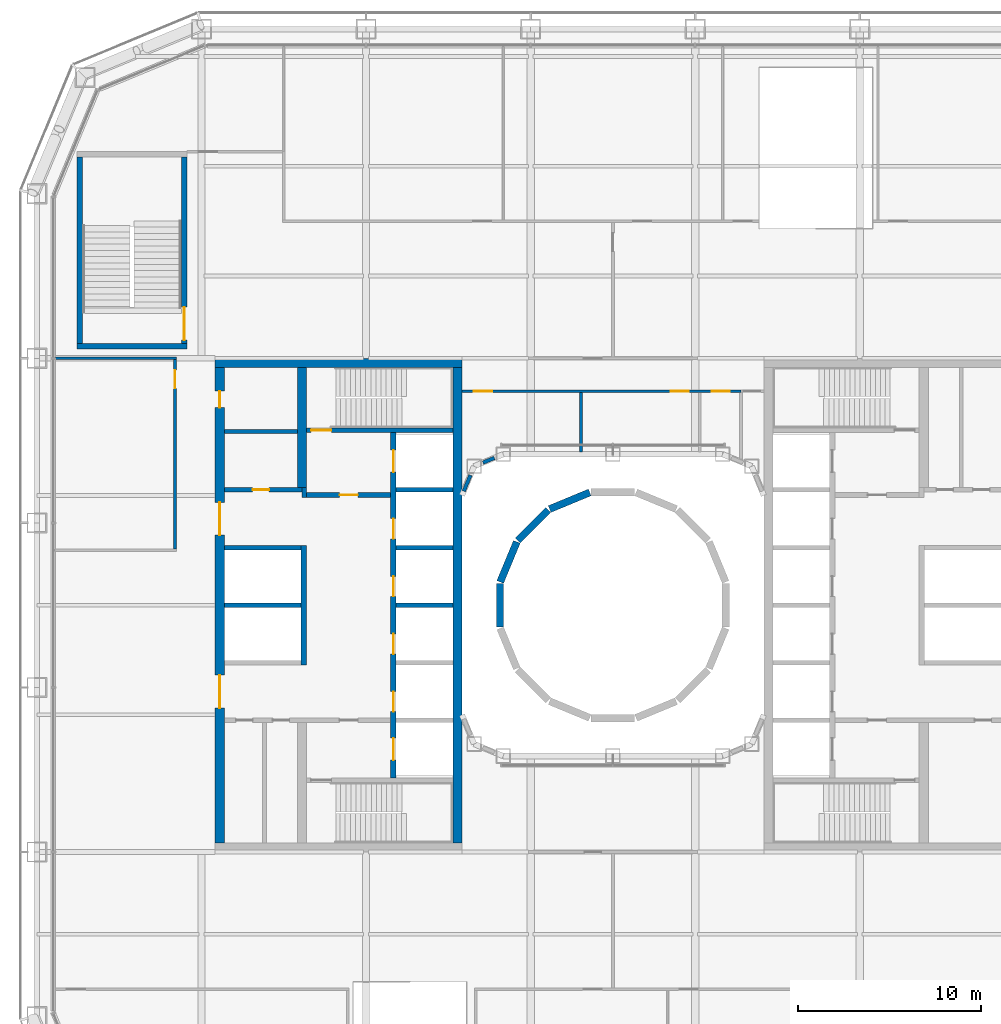
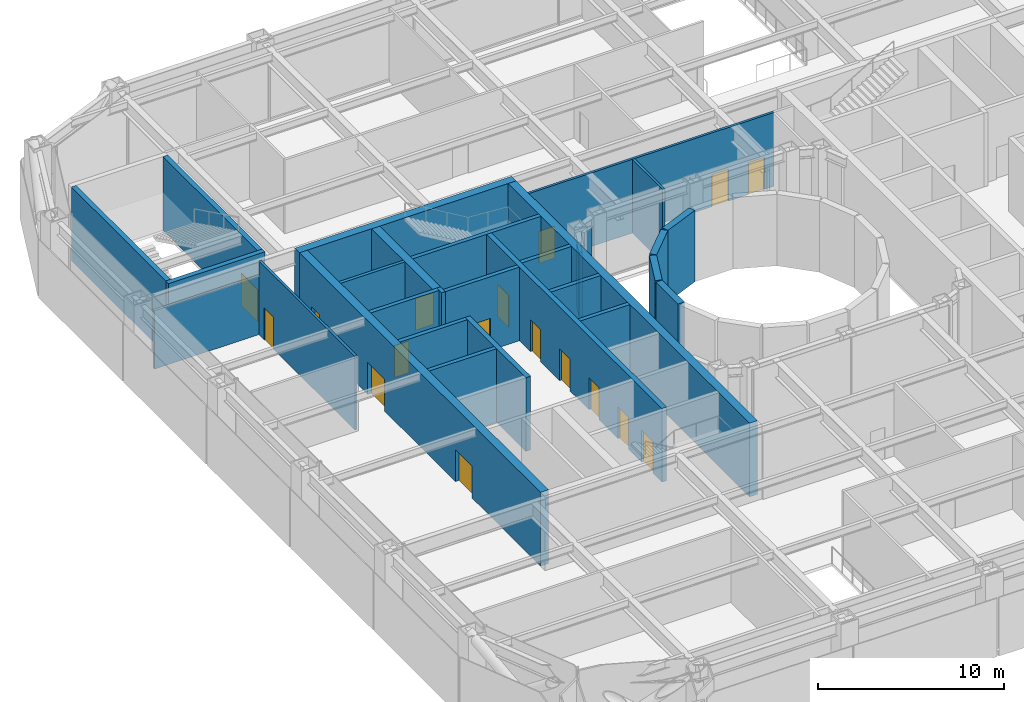
# One storey, part 13 of 24: 29 walls, 17 doors, 17 openings.
"""IFC4 building model written with IfcOpenShell, lengths in metres."""

from ifc_helpers import new_model, si_unit, direction, frame, frame_2d, origin, place, context, subcontext, project, spatial, rectangle, extrude, material, layer, layer_set, type_object, element, fill, save


model = new_model("IFC4")

# Units and contexts
model_context = context("Model", 3, precision=1e-05, world=origin(), true_north=direction((0.0, 1.0)))
body_context = subcontext(model_context, "Body", "Model", "MODEL_VIEW")
ifc_project = project(units=[si_unit("LENGTHUNIT", "METRE"), si_unit("AREAUNIT", "SQUARE_METRE"), si_unit("VOLUMEUNIT", "CUBIC_METRE"), si_unit("PLANEANGLEUNIT", "RADIAN"), si_unit("MASSUNIT", "GRAM", prefix="KILO")], contexts=[model_context])

# Site, building, storey
site_placement = place(None, origin())
site = spatial("IfcSite", under=ifc_project, at=site_placement, CompositionType="ELEMENT")
building_placement = place(site_placement, origin())
building = spatial("IfcBuilding", under=site, at=building_placement, Name="Siwar Civic Tower", CompositionType="ELEMENT")
storey_placement = place(building_placement, frame((0.0, 0.0, 12.199951171875)))
storey = spatial("IfcBuildingStorey", under=building, at=storey_placement, Name="L02", CompositionType="ELEMENT", Elevation=12.199951171875)

# Wall
ifc_material_1 = material(Name="Gypsum board on steel studs", Category="steel")
ifc_layer_1 = layer(ifc_material_1, 0.199951171875)
ifc_layer_set_1 = layer_set([ifc_layer_1], Name="Gypsum board on steel studs")
wall_type_1 = type_object("IfcWallType", Name="CORE-PARTITION-200", PredefinedType="PARTITIONING", material=ifc_layer_set_1)
wall_1_placement = place(storey_placement, frame((-17.25, 9.5, 0.0), z_axis=(0.0, 0.0, 1.0), x_axis=(-1.0, 0.0, 0.0)))
element("IfcWall", 1, at=wall_1_placement, inside=storey, type_object=wall_type_1, Name="Core partition W", PredefinedType="PARTITIONING", context=body_context, shape_type="SweptSolid", body=[
    extrude(rectangle(XDim=4.0, YDim=0.199951171875, at=frame_2d((2.0, 0.0))), origin(), (0.0, 0.0, 1.0), 4.85009765625),
])

# Wall, opening, door
ifc_material_2 = material(Name="Concrete C60/75", Category="concrete")
ifc_layer_2 = layer(ifc_material_2, 0.25)
ifc_layer_set_2 = layer_set([ifc_layer_2], Name="Concrete C60/75")
wall_type_2 = type_object("IfcWallType", Name="CORE-WALL-RC250", PredefinedType="SHEAR", material=ifc_layer_set_2)
wall_2_placement = place(storey_placement, frame((-12.14990234375, 6.02490234375, 0.0), z_axis=(0.0, 0.0, 1.0), x_axis=(-1.0, 0.0, 0.0)))
wall_2 = element("IfcWall", 2, at=wall_2_placement, inside=storey, type_object=wall_type_2, Name="Core wall W", PredefinedType="SHEAR", context=body_context, shape_type="SweptSolid", body=[
    extrude(rectangle(XDim=4.60009765625, YDim=0.25, at=frame_2d((2.300048828125, 0.0))), origin(), (0.0, 0.0, 1.0), 4.85009765625),
])
opening_1_placement = place(wall_2_placement, frame((1.800048828125, 0.0, 0.0)))
opening_1 = element("IfcOpeningElement", 3, at=opening_1_placement, cuts=wall_2, Name="Opening L02-CW01", PredefinedType="OPENING", context=body_context, shape_type="SweptSolid", body=[
    extrude(rectangle(XDim=1.0, YDim=2.10009765625, at=frame_2d((0.5, 1.050048828125))), frame((0.0, 0.135009765625, 0.0), z_axis=(0.0, -1.0, 0.0), x_axis=(1.0, 0.0, 0.0)), (0.0, 0.0, 1.0), 0.27001953125),
])
ifc_material_3 = material(Name="Steel door leaf", Category="steel")
door_type_1 = type_object("IfcDoorType", Name="CORE-DOOR-FD30S", OperationType="SINGLE_SWING_LEFT", PredefinedType="DOOR", material=ifc_material_3)
door_1_placement = place(opening_1_placement, origin())
door_1 = element("IfcDoor", 4, at=door_1_placement, inside=storey, type_object=door_type_1, Name="Firefighting lobby door L02-CW01", OperationType="SINGLE_SWING_LEFT", OverallHeight=2.10009765625, OverallWidth=1.0, PredefinedType="DOOR", context=body_context, shape_type="SweptSolid", body=[
    extrude(rectangle(XDim=1.0, YDim=2.10009765625, at=frame_2d((0.5, 1.050048828125))), frame((0.0, 0.02490234375, 0.0), z_axis=(0.0, -1.0, 0.0), x_axis=(1.0, 0.0, 0.0)), (0.0, 0.0, 1.0), 0.050048828125),
])
fill(opening_1, door_1)

# Wall
wall_3_placement = place(storey_placement, frame((-16.875, 5.89990234375, 0.0), z_axis=(0.0, 0.0, 1.0), x_axis=(0.0, 1.0, 0.0)))
element("IfcWall", 5, at=wall_3_placement, inside=storey, type_object=wall_type_2, Name="Core wall W", PredefinedType="SHEAR", context=body_context, shape_type="SweptSolid", body=[
    extrude(rectangle(XDim=0.525146484375, YDim=0.25, at=frame_2d((0.2626953125, 0.0))), origin(), (0.0, 0.0, 1.0), 4.85009765625),
])

# Wall, opening, door
wall_4_placement = place(storey_placement, frame((-17.0, 6.300048828125, 0.0), z_axis=(0.0, 0.0, 1.0), x_axis=(-1.0, 0.0, 0.0)))
wall_4 = element("IfcWall", 6, at=wall_4_placement, inside=storey, type_object=wall_type_2, Name="Core wall W", PredefinedType="SHEAR", context=body_context, shape_type="SweptSolid", body=[
    extrude(rectangle(XDim=4.25, YDim=0.25, at=frame_2d((2.125, 0.0))), origin(), (0.0, 0.0, 1.0), 4.85009765625),
])
opening_2_placement = place(wall_4_placement, frame((1.800048828125, 0.0, 0.0)))
opening_2 = element("IfcOpeningElement", 7, at=opening_2_placement, cuts=wall_4, Name="Opening L02-CW13", PredefinedType="OPENING", context=body_context, shape_type="SweptSolid", body=[
    extrude(rectangle(XDim=0.89990234375, YDim=2.10009765625, at=frame_2d((0.449951171875, 1.050048828125))), frame((0.0, 0.135009765625, 0.0), z_axis=(0.0, -1.0, 0.0), x_axis=(1.0, 0.0, 0.0)), (0.0, 0.0, 1.0), 0.27001953125),
])
ifc_material_4 = material(Name="Steel door leaf", Category="steel")
door_type_2 = type_object("IfcDoorType", Name="CORE-DOOR-ROOM", OperationType="SINGLE_SWING_LEFT", PredefinedType="DOOR", material=ifc_material_4)
door_2_placement = place(opening_2_placement, origin())
door_2 = element("IfcDoor", 8, at=door_2_placement, inside=storey, type_object=door_type_2, Name="Core room door L02-CW13", OperationType="SINGLE_SWING_LEFT", OverallHeight=2.10009765625, OverallWidth=0.89990234375, PredefinedType="DOOR", context=body_context, shape_type="SweptSolid", body=[
    extrude(rectangle(XDim=0.89990234375, YDim=2.10009765625, at=frame_2d((0.449951171875, 1.050048828125))), frame((0.0, 0.02490234375, 0.0), z_axis=(0.0, -1.0, 0.0), x_axis=(1.0, 0.0, 0.0)), (0.0, 0.0, 1.0), 0.050048828125),
])
fill(opening_2, door_2)

# Walls
for number, where, z_axis, x_axis, name in (
    (9, (-17.050048828125, 0.0, 0.0), (0.0, 0.0, 1.0), (-1.0, 0.0, 0.0), "Core wall W"),
    (10, (-17.050048828125, 3.14990234375, 0.0), (0.0, 0.0, 1.0), (-1.0, 0.0, 0.0), "Core wall W"),
):
    element("IfcWall", number, at=place(storey_placement, frame(where, z_axis=z_axis, x_axis=x_axis)), inside=storey, type_object=wall_type_2, Name=name, PredefinedType="SHEAR", context=body_context, shape_type="SweptSolid", body=[
        extrude(rectangle(XDim=4.199951171875, YDim=0.25, at=frame_2d((2.10009765625, 0.0))), origin(), (0.0, 0.0, 1.0), 4.85009765625),
    ])
for number, where, z_axis, x_axis, name in (
    (11, (-8.75, 0.0, 0.0), (0.0, 0.0, 1.0), (-1.0, 0.0, 0.0), "Core wall W"),
    (12, (-8.75, 3.14990234375, 0.0), (0.0, 0.0, 1.0), (-1.0, 0.0, 0.0), "Core wall W"),
    (13, (-8.75, 6.300048828125, 0.0), (0.0, 0.0, 1.0), (-1.0, 0.0, 0.0), "Core wall W"),
):
    element("IfcWall", number, at=place(storey_placement, frame(where, z_axis=z_axis, x_axis=x_axis)), inside=storey, type_object=wall_type_2, Name=name, PredefinedType="SHEAR", context=body_context, shape_type="SweptSolid", body=[
        extrude(rectangle(XDim=3.10009765625, YDim=0.25, at=frame_2d((1.550048828125, 0.0))), origin(), (0.0, 0.0, 1.0), 4.85009765625),
    ])

# Wall, opening, door
wall_5_placement = place(storey_placement, frame((-8.75, 9.574951171875, 0.0), z_axis=(0.0, 0.0, 1.0), x_axis=(-1.0, 0.0, 0.0)))
wall_5 = element("IfcWall", 14, at=wall_5_placement, inside=storey, type_object=wall_type_2, Name="Core wall W", PredefinedType="SHEAR", context=body_context, shape_type="SweptSolid", body=[
    extrude(rectangle(XDim=8.0, YDim=0.25, at=frame_2d((4.0, 0.0))), origin(), (0.0, 0.0, 1.0), 4.85009765625),
])
opening_3_placement = place(wall_5_placement, frame((6.64990234375, 0.0, 0.0)))
opening_3 = element("IfcOpeningElement", 15, at=opening_3_placement, cuts=wall_5, Name="Opening L02-CW03", PredefinedType="OPENING", context=body_context, shape_type="SweptSolid", body=[
    extrude(rectangle(XDim=1.10009765625, YDim=2.10009765625, at=frame_2d((0.550048828125, 1.050048828125))), frame((0.0, 0.135009765625, 0.0), z_axis=(0.0, -1.0, 0.0), x_axis=(1.0, 0.0, 0.0)), (0.0, 0.0, 1.0), 0.27001953125),
])
ifc_material_5 = material(Name="Steel door leaf", Category="steel")
door_type_3 = type_object("IfcDoorType", Name="CORE-DOOR-FD60S", OperationType="SINGLE_SWING_LEFT", PredefinedType="DOOR", material=ifc_material_5)
door_3_placement = place(opening_3_placement, origin())
door_3 = element("IfcDoor", 16, at=door_3_placement, inside=storey, type_object=door_type_3, Name="Stair door L02-CW03", OperationType="SINGLE_SWING_RIGHT", OverallHeight=2.10009765625, OverallWidth=1.10009765625, PredefinedType="DOOR", context=body_context, shape_type="SweptSolid", body=[
    extrude(rectangle(XDim=1.10009765625, YDim=2.10009765625, at=frame_2d((0.550048828125, 1.050048828125))), frame((0.0, 0.02490234375, 0.0), z_axis=(0.0, -1.0, 0.0), x_axis=(1.0, 0.0, 0.0)), (0.0, 0.0, 1.0), 0.050048828125),
])
fill(opening_3, door_3)

# Wall, openings, doors
ifc_material_6 = material(Name="Concrete C60/75", Category="concrete")
ifc_layer_3 = layer(ifc_material_6, 0.300048828125)
ifc_layer_set_3 = layer_set([ifc_layer_3], Name="Concrete C60/75")
wall_type_3 = type_object("IfcWallType", Name="CORE-WALL-RC300", PredefinedType="SHEAR", material=ifc_layer_set_3)
wall_6_placement = place(storey_placement, frame((-12.0, -9.449951171875, 0.0), z_axis=(0.0, 0.0, 1.0), x_axis=(0.0, 1.0, 0.0)))
wall_6 = element("IfcWall", 17, at=wall_6_placement, inside=storey, type_object=wall_type_3, Name="Core wall W", PredefinedType="SHEAR", context=body_context, shape_type="SweptSolid", body=[
    extrude(rectangle(XDim=18.89990234375, YDim=0.300048828125, at=frame_2d((9.449951171875, 0.0))), origin(), (0.0, 0.0, 1.0), 4.85009765625),
])
opening_4_placement = place(wall_6_placement, frame((3.625, 0.0, 0.0)))
opening_4 = element("IfcOpeningElement", 18, at=opening_4_placement, cuts=wall_6, Name="Opening L02-CW07", PredefinedType="OPENING", context=body_context, shape_type="SweptSolid", body=[
    extrude(rectangle(XDim=1.10009765625, YDim=2.10009765625, at=frame_2d((0.550048828125, 1.050048828125))), frame((0.0, 0.16015625, 0.0), z_axis=(0.0, -1.0, 0.0), x_axis=(1.0, 0.0, 0.0)), (0.0, 0.0, 1.0), 0.320068359375),
])
opening_5_placement = place(wall_6_placement, frame((6.77490234375, 0.0, 0.0)))
opening_5 = element("IfcOpeningElement", 19, at=opening_5_placement, cuts=wall_6, Name="Opening L02-CW08", PredefinedType="OPENING", context=body_context, shape_type="SweptSolid", body=[
    extrude(rectangle(XDim=1.10009765625, YDim=2.10009765625, at=frame_2d((0.550048828125, 1.050048828125))), frame((0.0, 0.16015625, 0.0), z_axis=(0.0, -1.0, 0.0), x_axis=(1.0, 0.0, 0.0)), (0.0, 0.0, 1.0), 0.320068359375),
])
opening_6_placement = place(wall_6_placement, frame((9.925048828125, 0.0, 0.0)))
opening_6 = element("IfcOpeningElement", 20, at=opening_6_placement, cuts=wall_6, Name="Opening L02-CW09", PredefinedType="OPENING", context=body_context, shape_type="SweptSolid", body=[
    extrude(rectangle(XDim=1.10009765625, YDim=2.10009765625, at=frame_2d((0.550048828125, 1.050048828125))), frame((0.0, 0.16015625, 0.0), z_axis=(0.0, -1.0, 0.0), x_axis=(1.0, 0.0, 0.0)), (0.0, 0.0, 1.0), 0.320068359375),
])
opening_7_placement = place(wall_6_placement, frame((13.074951171875, 0.0, 0.0)))
opening_7 = element("IfcOpeningElement", 21, at=opening_7_placement, cuts=wall_6, Name="Opening L02-CW10", PredefinedType="OPENING", context=body_context, shape_type="SweptSolid", body=[
    extrude(rectangle(XDim=1.10009765625, YDim=2.10009765625, at=frame_2d((0.550048828125, 1.050048828125))), frame((0.0, 0.16015625, 0.0), z_axis=(0.0, -1.0, 0.0), x_axis=(1.0, 0.0, 0.0)), (0.0, 0.0, 1.0), 0.320068359375),
])
opening_8_placement = place(wall_6_placement, frame((16.72509765625, 0.0, 0.0)))
opening_8 = element("IfcOpeningElement", 22, at=opening_8_placement, cuts=wall_6, Name="Opening L02-CW11", PredefinedType="OPENING", context=body_context, shape_type="SweptSolid", body=[
    extrude(rectangle(XDim=1.199951171875, YDim=2.10009765625, at=frame_2d((0.60009765625, 1.050048828125))), frame((0.0, 0.16015625, 0.0), z_axis=(0.0, -1.0, 0.0), x_axis=(1.0, 0.0, 0.0)), (0.0, 0.0, 1.0), 0.320068359375),
])
opening_9_placement = place(wall_6_placement, frame((0.97509765625, 0.0, 0.0)))
opening_9 = element("IfcOpeningElement", 23, at=opening_9_placement, cuts=wall_6, Name="Opening L02-CW12", PredefinedType="OPENING", context=body_context, shape_type="SweptSolid", body=[
    extrude(rectangle(XDim=1.199951171875, YDim=2.10009765625, at=frame_2d((0.60009765625, 1.050048828125))), frame((0.0, 0.16015625, 0.0), z_axis=(0.0, -1.0, 0.0), x_axis=(1.0, 0.0, 0.0)), (0.0, 0.0, 1.0), 0.320068359375),
])
ifc_material_7 = material(Name="Steel door leaf", Category="steel")
door_type_4 = type_object("IfcDoorType", Name="CORE-DOOR-LD", OperationType="DOUBLE_DOOR_SLIDING", PredefinedType="DOOR", material=ifc_material_7)
door_4_placement = place(opening_4_placement, origin())
door_4 = element("IfcDoor", 24, at=door_4_placement, inside=storey, type_object=door_type_4, Name="Landing door LR1 L02-CW07", OperationType="DOUBLE_DOOR_SLIDING", OverallHeight=2.10009765625, OverallWidth=1.10009765625, PredefinedType="DOOR", context=body_context, shape_type="SweptSolid", body=[
    extrude(rectangle(XDim=1.10009765625, YDim=2.10009765625, at=frame_2d((0.550048828125, 1.050048828125))), frame((0.0, 0.02490234375, 0.0), z_axis=(0.0, -1.0, 0.0), x_axis=(1.0, 0.0, 0.0)), (0.0, 0.0, 1.0), 0.050048828125),
])
fill(opening_4, door_4)
door_5_placement = place(opening_5_placement, origin())
door_5 = element("IfcDoor", 25, at=door_5_placement, inside=storey, type_object=door_type_4, Name="Landing door LR2 L02-CW08", OperationType="DOUBLE_DOOR_SLIDING", OverallHeight=2.10009765625, OverallWidth=1.10009765625, PredefinedType="DOOR", context=body_context, shape_type="SweptSolid", body=[
    extrude(rectangle(XDim=1.10009765625, YDim=2.10009765625, at=frame_2d((0.550048828125, 1.050048828125))), frame((0.0, 0.02490234375, 0.0), z_axis=(0.0, -1.0, 0.0), x_axis=(1.0, 0.0, 0.0)), (0.0, 0.0, 1.0), 0.050048828125),
])
fill(opening_5, door_5)
door_6_placement = place(opening_6_placement, origin())
door_6 = element("IfcDoor", 26, at=door_6_placement, inside=storey, type_object=door_type_4, Name="Landing door LR3 L02-CW09", OperationType="DOUBLE_DOOR_SLIDING", OverallHeight=2.10009765625, OverallWidth=1.10009765625, PredefinedType="DOOR", context=body_context, shape_type="SweptSolid", body=[
    extrude(rectangle(XDim=1.10009765625, YDim=2.10009765625, at=frame_2d((0.550048828125, 1.050048828125))), frame((0.0, 0.02490234375, 0.0), z_axis=(0.0, -1.0, 0.0), x_axis=(1.0, 0.0, 0.0)), (0.0, 0.0, 1.0), 0.050048828125),
])
fill(opening_6, door_6)
door_7_placement = place(opening_7_placement, origin())
door_7 = element("IfcDoor", 27, at=door_7_placement, inside=storey, type_object=door_type_4, Name="Landing door LR4 L02-CW10", OperationType="DOUBLE_DOOR_SLIDING", OverallHeight=2.10009765625, OverallWidth=1.10009765625, PredefinedType="DOOR", context=body_context, shape_type="SweptSolid", body=[
    extrude(rectangle(XDim=1.10009765625, YDim=2.10009765625, at=frame_2d((0.550048828125, 1.050048828125))), frame((0.0, 0.02490234375, 0.0), z_axis=(0.0, -1.0, 0.0), x_axis=(1.0, 0.0, 0.0)), (0.0, 0.0, 1.0), 0.050048828125),
])
fill(opening_7, door_7)
ifc_material_8 = material(Name="Steel door leaf", Category="steel")
door_type_5 = type_object("IfcDoorType", Name="CORE-DOOR-LDW", OperationType="DOUBLE_DOOR_SLIDING", PredefinedType="DOOR", material=ifc_material_8)
door_8_placement = place(opening_8_placement, origin())
door_8 = element("IfcDoor", 28, at=door_8_placement, inside=storey, type_object=door_type_5, Name="Landing door FF1 L02-CW11", OperationType="DOUBLE_DOOR_SLIDING", OverallHeight=2.10009765625, OverallWidth=1.199951171875, PredefinedType="DOOR", context=body_context, shape_type="SweptSolid", body=[
    extrude(rectangle(XDim=1.199951171875, YDim=2.10009765625, at=frame_2d((0.60009765625, 1.050048828125))), frame((0.0, 0.02490234375, 0.0), z_axis=(0.0, -1.0, 0.0), x_axis=(1.0, 0.0, 0.0)), (0.0, 0.0, 1.0), 0.050048828125),
])
fill(opening_8, door_8)
door_9_placement = place(opening_9_placement, origin())
door_9 = element("IfcDoor", 29, at=door_9_placement, inside=storey, type_object=door_type_5, Name="Landing door SV1 L02-CW12", OperationType="DOUBLE_DOOR_SLIDING", OverallHeight=2.10009765625, OverallWidth=1.199951171875, PredefinedType="DOOR", context=body_context, shape_type="SweptSolid", body=[
    extrude(rectangle(XDim=1.199951171875, YDim=2.10009765625, at=frame_2d((0.60009765625, 1.050048828125))), frame((0.0, 0.02490234375, 0.0), z_axis=(0.0, -1.0, 0.0), x_axis=(1.0, 0.0, 0.0)), (0.0, 0.0, 1.0), 0.050048828125),
])
fill(opening_9, door_9)

# Wall
wall_7_placement = place(storey_placement, frame((-16.89990234375, -3.27490234375, 0.0), z_axis=(0.0, 0.0, 1.0), x_axis=(0.0, 1.0, 0.0)))
element("IfcWall", 30, at=wall_7_placement, inside=storey, type_object=wall_type_3, Name="Core wall W", PredefinedType="SHEAR", context=body_context, shape_type="SweptSolid", body=[
    extrude(rectangle(XDim=6.5498046875, YDim=0.300048828125, at=frame_2d((3.27490234375, 0.0))), origin(), (0.0, 0.0, 1.0), 4.85009765625),
])

# Wall, openings, doors
ifc_material_9 = material(Name="Concrete C60/75", Category="concrete")
ifc_layer_4 = layer(ifc_material_9, 0.5)
ifc_layer_set_4 = layer_set([ifc_layer_4], Name="Concrete C60/75")
wall_type_4 = type_object("IfcWallType", Name="CORE-WALL-RC500", PredefinedType="SHEAR", material=ifc_layer_set_4)
wall_8_placement = place(storey_placement, frame((-21.5, -13.0, 0.0), z_axis=(0.0, 0.0, 1.0), x_axis=(0.0, 1.0, 0.0)))
wall_8 = element("IfcWall", 31, at=wall_8_placement, inside=storey, type_object=wall_type_4, Name="Core wall W", PredefinedType="SHEAR", context=body_context, shape_type="SweptSolid", body=[
    extrude(rectangle(XDim=26.0, YDim=0.5, at=frame_2d((13.0, 0.0))), origin(), (0.0, 0.0, 1.0), 4.85009765625),
])
opening_10_placement = place(wall_8_placement, frame((16.824951171875, 0.0, 0.0)))
opening_10 = element("IfcOpeningElement", 32, at=opening_10_placement, cuts=wall_8, Name="Opening L02-CW05", PredefinedType="OPENING", context=body_context, shape_type="SweptSolid", body=[
    extrude(rectangle(XDim=1.800048828125, YDim=2.10009765625, at=frame_2d((0.89990234375, 1.050048828125))), frame((0.0, 0.260009765625, 0.0), z_axis=(0.0, -1.0, 0.0), x_axis=(1.0, 0.0, 0.0)), (0.0, 0.0, 1.0), 0.52001953125),
])
opening_11_placement = place(wall_8_placement, frame((7.375, 0.0, 0.0)))
opening_11 = element("IfcOpeningElement", 33, at=opening_11_placement, cuts=wall_8, Name="Opening L02-CW06", PredefinedType="OPENING", context=body_context, shape_type="SweptSolid", body=[
    extrude(rectangle(XDim=1.800048828125, YDim=2.10009765625, at=frame_2d((0.89990234375, 1.050048828125))), frame((0.0, 0.260009765625, 0.0), z_axis=(0.0, -1.0, 0.0), x_axis=(1.0, 0.0, 0.0)), (0.0, 0.0, 1.0), 0.52001953125),
])
opening_12_placement = place(wall_8_placement, frame((23.800048828125, 0.0, 0.0)))
opening_12 = element("IfcOpeningElement", 34, at=opening_12_placement, cuts=wall_8, Name="Opening L02-CW14", PredefinedType="OPENING", context=body_context, shape_type="SweptSolid", body=[
    extrude(rectangle(XDim=0.89990234375, YDim=2.10009765625, at=frame_2d((0.449951171875, 1.050048828125))), frame((0.0, 0.260009765625, 0.0), z_axis=(0.0, -1.0, 0.0), x_axis=(1.0, 0.0, 0.0)), (0.0, 0.0, 1.0), 0.52001953125),
])
ifc_material_10 = material(Name="Steel door leaf", Category="steel")
door_type_6 = type_object("IfcDoorType", Name="CORE-DOOR-PORT", OperationType="DOUBLE_DOOR_DOUBLE_SWING", PredefinedType="DOOR", material=ifc_material_10)
door_10_placement = place(opening_10_placement, origin())
door_10 = element("IfcDoor", 35, at=door_10_placement, inside=storey, type_object=door_type_6, Name="Core entrance door L02-CW05", OperationType="DOUBLE_DOOR_DOUBLE_SWING", OverallHeight=2.10009765625, OverallWidth=1.800048828125, PredefinedType="DOOR", context=body_context, shape_type="SweptSolid", body=[
    extrude(rectangle(XDim=1.800048828125, YDim=2.10009765625, at=frame_2d((0.89990234375, 1.050048828125))), frame((0.0, 0.02490234375, 0.0), z_axis=(0.0, -1.0, 0.0), x_axis=(1.0, 0.0, 0.0)), (0.0, 0.0, 1.0), 0.050048828125),
])
fill(opening_10, door_10)
door_11_placement = place(opening_11_placement, origin())
door_11 = element("IfcDoor", 36, at=door_11_placement, inside=storey, type_object=door_type_6, Name="Core entrance door L02-CW06", OperationType="DOUBLE_DOOR_DOUBLE_SWING", OverallHeight=2.10009765625, OverallWidth=1.800048828125, PredefinedType="DOOR", context=body_context, shape_type="SweptSolid", body=[
    extrude(rectangle(XDim=1.800048828125, YDim=2.10009765625, at=frame_2d((0.89990234375, 1.050048828125))), frame((0.0, 0.02490234375, 0.0), z_axis=(0.0, -1.0, 0.0), x_axis=(1.0, 0.0, 0.0)), (0.0, 0.0, 1.0), 0.050048828125),
])
fill(opening_11, door_11)
door_12_placement = place(opening_12_placement, origin())
door_12 = element("IfcDoor", 37, at=door_12_placement, inside=storey, type_object=door_type_2, Name="Core room door L02-CW14", OperationType="SINGLE_SWING_LEFT", OverallHeight=2.10009765625, OverallWidth=0.89990234375, PredefinedType="DOOR", context=body_context, shape_type="SweptSolid", body=[
    extrude(rectangle(XDim=0.89990234375, YDim=2.10009765625, at=frame_2d((0.449951171875, 1.050048828125))), frame((0.0, 0.02490234375, 0.0), z_axis=(0.0, -1.0, 0.0), x_axis=(1.0, 0.0, 0.0)), (0.0, 0.0, 1.0), 0.050048828125),
])
fill(opening_12, door_12)

# Walls
wall_9_placement = place(storey_placement, frame((-17.0, 6.425048828125, 0.0), z_axis=(0.0, 0.0, 1.0), x_axis=(0.0, 1.0, 0.0)))
element("IfcWall", 38, at=wall_9_placement, inside=storey, type_object=wall_type_4, Name="Core wall W", PredefinedType="SHEAR", context=body_context, shape_type="SweptSolid", body=[
    extrude(rectangle(XDim=6.574951171875, YDim=0.5, at=frame_2d((3.28759765625, 0.0))), origin(), (0.0, 0.0, 1.0), 4.85009765625),
])
wall_10_placement = place(storey_placement, frame((-8.25, 13.25, 0.0), z_axis=(0.0, 0.0, 1.0), x_axis=(-1.0, 0.0, 0.0)))
element("IfcWall", 39, at=wall_10_placement, inside=storey, type_object=wall_type_4, Name="Core wall W", PredefinedType="SHEAR", context=body_context, shape_type="SweptSolid", body=[
    extrude(rectangle(XDim=13.5, YDim=0.5, at=frame_2d((6.75, 0.0))), origin(), (0.0, 0.0, 1.0), 4.85009765625),
])
ifc_material_11 = material(Name="Concrete C60/75", Category="concrete")
ifc_layer_5 = layer(ifc_material_11, 0.5)
ifc_layer_set_5 = layer_set([ifc_layer_5], Name="Concrete C60/75")
wall_type_5 = type_object("IfcWallType", Name="CORE-WALL-RC500-EXT", PredefinedType="SHEAR", material=ifc_layer_set_5)
wall_11_placement = place(storey_placement, frame((-8.5, -13.0, 0.0), z_axis=(0.0, 0.0, 1.0), x_axis=(0.0, 1.0, 0.0)))
element("IfcWall", 40, at=wall_11_placement, inside=storey, type_object=wall_type_5, Name="Core wall W", PredefinedType="SHEAR", context=body_context, shape_type="SweptSolid", body=[
    extrude(rectangle(XDim=26.0, YDim=0.5, at=frame_2d((13.0, 0.0))), origin(), (0.0, 0.0, 1.0), 4.85009765625),
])

# Wall, openings, doors
ifc_material_12 = material(Name="Gypsum board on steel studs", Category="steel")
ifc_layer_6 = layer(ifc_material_12, 0.14990234375)
ifc_layer_set_6 = layer_set([ifc_layer_6], Name="Gypsum board on steel studs")
wall_type_6 = type_object("IfcWallType", Name="CORRIDOR PARTITION 150 EI 30", PredefinedType="PARTITIONING", material=ifc_layer_set_6)
wall_12_placement = place(storey_placement, frame((-8.25, 11.699951171875, 0.0), z_axis=(0.0, 0.0, 1.0), x_axis=(1.0, 0.0, 0.0)))
wall_12 = element("IfcWall", 41, at=wall_12_placement, inside=storey, type_object=wall_type_6, Name="L02/wall/P08", PredefinedType="PARTITIONING", context=body_context, shape_type="SweptSolid", body=[
    extrude(rectangle(XDim=15.25, YDim=0.14990234375, at=frame_2d((7.625, 0.0))), origin(), (0.0, 0.0, 1.0), 4.85009765625),
])
opening_13_placement = place(wall_12_placement, frame((0.64990234375, 0.0, 0.0)))
opening_13 = element("IfcOpeningElement", 42, at=opening_13_placement, cuts=wall_12, Name="Opening D3", PredefinedType="OPENING", context=body_context, shape_type="SweptSolid", body=[
    extrude(rectangle(XDim=1.0, YDim=2.10009765625, at=frame_2d((0.5, 1.050048828125))), frame((0.0, 0.0849609375, 0.0), z_axis=(0.0, -1.0, 0.0), x_axis=(1.0, 0.0, 0.0)), (0.0, 0.0, 1.0), 0.169921875),
])
opening_14_placement = place(wall_12_placement, frame((11.39990234375, 0.0, 0.0)))
opening_14 = element("IfcOpeningElement", 43, at=opening_14_placement, cuts=wall_12, Name="Opening D3", PredefinedType="OPENING", context=body_context, shape_type="SweptSolid", body=[
    extrude(rectangle(XDim=1.0, YDim=2.10009765625, at=frame_2d((0.5, 1.050048828125))), frame((0.0, 0.0849609375, 0.0), z_axis=(0.0, -1.0, 0.0), x_axis=(1.0, 0.0, 0.0)), (0.0, 0.0, 1.0), 0.169921875),
])
opening_15_placement = place(wall_12_placement, frame((13.64990234375, 0.0, 0.0)))
opening_15 = element("IfcOpeningElement", 44, at=opening_15_placement, cuts=wall_12, Name="Opening D3", PredefinedType="OPENING", context=body_context, shape_type="SweptSolid", body=[
    extrude(rectangle(XDim=1.0, YDim=2.10009765625, at=frame_2d((0.5, 1.050048828125))), frame((0.0, 0.0849609375, 0.0), z_axis=(0.0, -1.0, 0.0), x_axis=(1.0, 0.0, 0.0)), (0.0, 0.0, 1.0), 0.169921875),
])
ifc_material_13 = material(Name="Timber, painted", Category="wood")
door_type_7 = type_object("IfcDoorType", Name="DOOR 1000 X 2100 WC", OperationType="SINGLE_SWING_LEFT", PredefinedType="DOOR", material=ifc_material_13)
door_13_placement = place(opening_13_placement, origin())
door_13 = element("IfcDoor", 45, at=door_13_placement, inside=storey, type_object=door_type_7, Name="L02-D13", OperationType="SINGLE_SWING_LEFT", OverallHeight=2.10009765625, OverallWidth=1.0, PredefinedType="DOOR", context=body_context, shape_type="SweptSolid", body=[
    extrude(rectangle(XDim=1.0, YDim=2.10009765625, at=frame_2d((0.5, 1.050048828125))), frame((0.0, 0.02490234375, 0.0), z_axis=(0.0, -1.0, 0.0), x_axis=(1.0, 0.0, 0.0)), (0.0, 0.0, 1.0), 0.050048828125),
])
fill(opening_13, door_13)
door_14_placement = place(opening_14_placement, origin())
door_14 = element("IfcDoor", 46, at=door_14_placement, inside=storey, type_object=door_type_7, Name="L02-D14", OperationType="SINGLE_SWING_RIGHT", OverallHeight=2.10009765625, OverallWidth=1.0, PredefinedType="DOOR", context=body_context, shape_type="SweptSolid", body=[
    extrude(rectangle(XDim=1.0, YDim=2.10009765625, at=frame_2d((0.5, 1.050048828125))), frame((0.0, 0.02490234375, 0.0), z_axis=(0.0, -1.0, 0.0), x_axis=(1.0, 0.0, 0.0)), (0.0, 0.0, 1.0), 0.050048828125),
])
fill(opening_14, door_14)
door_15_placement = place(opening_15_placement, origin())
door_15 = element("IfcDoor", 47, at=door_15_placement, inside=storey, type_object=door_type_7, Name="L02-D15", OperationType="SINGLE_SWING_LEFT", OverallHeight=2.10009765625, OverallWidth=1.0, PredefinedType="DOOR", context=body_context, shape_type="SweptSolid", body=[
    extrude(rectangle(XDim=1.0, YDim=2.10009765625, at=frame_2d((0.5, 1.050048828125))), frame((0.0, 0.02490234375, 0.0), z_axis=(0.0, -1.0, 0.0), x_axis=(1.0, 0.0, 0.0)), (0.0, 0.0, 1.0), 0.050048828125),
])
fill(opening_15, door_15)

# Wall
wall_13_placement = place(storey_placement, frame((-30.510009765625, 13.5, 0.0), z_axis=(0.0, 0.0, 1.0), x_axis=(1.0, 0.0, 0.0)))
element("IfcWall", 48, at=wall_13_placement, inside=storey, type_object=wall_type_6, Name="L02/wall/P10", PredefinedType="PARTITIONING", context=body_context, shape_type="SweptSolid", body=[
    extrude(rectangle(XDim=6.635009765625, YDim=0.14990234375, at=frame_2d((3.3173828125, 0.0))), origin(), (0.0, 0.0, 1.0), 3.85009765625),
])

# Wall, opening, door
wall_14_placement = place(storey_placement, frame((-23.949951171875, 3.074951171875, 0.0), z_axis=(0.0, 0.0, 1.0), x_axis=(0.0, 1.0, 0.0)))
wall_14 = element("IfcWall", 49, at=wall_14_placement, inside=storey, type_object=wall_type_6, Name="L02/wall/P15", PredefinedType="PARTITIONING", context=body_context, shape_type="SweptSolid", body=[
    extrude(rectangle(XDim=10.35009765625, YDim=0.14990234375, at=frame_2d((5.175048828125, 0.0))), origin(), (0.0, 0.0, 1.0), 4.85009765625),
])
opening_16_placement = place(wall_14_placement, frame((8.77490234375, 0.0, 0.0)))
opening_16 = element("IfcOpeningElement", 50, at=opening_16_placement, cuts=wall_14, Name="Opening D1", PredefinedType="OPENING", context=body_context, shape_type="SweptSolid", body=[
    extrude(rectangle(XDim=1.0, YDim=2.10009765625, at=frame_2d((0.5, 1.050048828125))), frame((0.0, 0.0849609375, 0.0), z_axis=(0.0, -1.0, 0.0), x_axis=(1.0, 0.0, 0.0)), (0.0, 0.0, 1.0), 0.169921875),
])
ifc_material_14 = material(Name="Timber, painted", Category="wood")
door_type_8 = type_object("IfcDoorType", Name="DOOR 1000 X 2100 FD30", OperationType="SINGLE_SWING_LEFT", PredefinedType="DOOR", material=ifc_material_14)
door_16_placement = place(opening_16_placement, origin())
door_16 = element("IfcDoor", 51, at=door_16_placement, inside=storey, type_object=door_type_8, Name="L02-D11", OperationType="SINGLE_SWING_LEFT", OverallHeight=2.10009765625, OverallWidth=1.0, PredefinedType="DOOR", context=body_context, shape_type="SweptSolid", body=[
    extrude(rectangle(XDim=1.0, YDim=2.10009765625, at=frame_2d((0.5, 1.050048828125))), frame((0.0, 0.02490234375, 0.0), z_axis=(0.0, -1.0, 0.0), x_axis=(1.0, 0.0, 0.0)), (0.0, 0.0, 1.0), 0.050048828125),
])
fill(opening_16, door_16)

# Walls
wall_15_placement = place(storey_placement, frame((-1.75, 8.3701171875, 0.0), z_axis=(0.0, 0.0, 1.0), x_axis=(0.0, 1.0, 0.0)))
element("IfcWall", 52, at=wall_15_placement, inside=storey, type_object=wall_type_6, Name="L02/wall/P21", PredefinedType="PARTITIONING", context=body_context, shape_type="SweptSolid", body=[
    extrude(rectangle(XDim=3.2548828125, YDim=0.14990234375, at=frame_2d((1.62744140625, 0.0))), origin(), (0.0, 0.0, 1.0), 4.85009765625),
])
ifc_material_15 = material(Name="Aluminium clad insulated panel", Category="aluminium")
ifc_layer_7 = layer(ifc_material_15, 0.199951171875)
ifc_layer_set_7 = layer_set([ifc_layer_7], Name="Aluminium clad insulated panel")
wall_type_7 = type_object("IfcWallType", Name="ENV-WALL-WELL", PredefinedType="STANDARD", material=ifc_layer_set_7)
wall_16_placement = place(storey_placement, frame((-6.48291015625, 8.050048828125, 0.0), z_axis=(0.0, 0.0, 1.0), x_axis=(-0.923854141361, -0.382744726273, 0.0)))
element("IfcWall", 53, at=wall_16_placement, inside=storey, type_object=wall_type_7, Name="Light well corner wall NW1", PredefinedType="STANDARD", context=body_context, shape_type="SweptSolid", body=[
    extrude(rectangle(XDim=0.6767578125, YDim=0.199951171875, at=frame_2d((0.33837890625, 0.0))), origin(), (0.0, 0.0, 1.0), 4.22998046875),
])
wall_17_placement = place(storey_placement, frame((-7.791015625, 7.108154296875, 0.0), z_axis=(0.0, 0.0, 1.0), x_axis=(-0.382624318388, -0.923904016107, 0.0)))
element("IfcWall", 54, at=wall_17_placement, inside=storey, type_object=wall_type_7, Name="Light well corner wall NW2", PredefinedType="STANDARD", context=body_context, shape_type="SweptSolid", body=[
    extrude(rectangle(XDim=0.949462890625, YDim=0.199951171875, at=frame_2d((0.474609375, 0.0))), origin(), (0.0, 0.0, 1.0), 4.22998046875),
])
ifc_material_16 = material(Name="Concrete C60/75", Category="concrete")
ifc_layer_8 = layer(ifc_material_16, 0.39990234375)
ifc_layer_set_8 = layer_set([ifc_layer_8], Name="Concrete C60/75")
wall_type_8 = type_object("IfcWallType", Name="GND-DRUMWALL", PredefinedType="SOLIDWALL", material=ifc_layer_set_8)
wall_18_placement = place(storey_placement, frame((-1.266845703125, 6.163330078125, 0.0), z_axis=(0.0, 0.0, 1.0), x_axis=(-0.92388035216, -0.382681453552, 0.0)))
element("IfcWall", 55, at=wall_18_placement, inside=storey, type_object=wall_type_8, Name="L02/wall/drum-05", PredefinedType="SOLIDWALL", context=body_context, shape_type="SweptSolid", body=[
    extrude(rectangle(XDim=2.37646484375, YDim=0.39990234375, at=frame_2d((1.188232421875, 0.0))), origin(), (0.0, 0.0, 1.0), 4.699951171875),
])
wall_19_placement = place(storey_placement, frame((-3.52880859375, 5.20947265625, 0.0), z_axis=(0.0, 0.0, 1.0), x_axis=(-0.707106781187, -0.707106781187, 0.0)))
element("IfcWall", 56, at=wall_19_placement, inside=storey, type_object=wall_type_8, Name="L02/wall/drum-06", PredefinedType="SOLIDWALL", context=body_context, shape_type="SweptSolid", body=[
    extrude(rectangle(XDim=2.376708984375, YDim=0.39990234375, at=frame_2d((1.1884765625, 0.0))), origin(), (0.0, 0.0, 1.0), 4.699951171875),
])
for number, where, z_axis, x_axis, name in (
    (57, (-5.25390625, 3.46240234375, 0.0), (0.0, 0.0, 1.0), (-0.382681453552, -0.92388035216, 0.0), "L02/wall/drum-07"),
    (58, (-6.178955078125, 1.188232421875, 0.0), (0.0, 0.0, 1.0), (0.0, -1.0, 0.0), "L02/wall/drum-08"),
):
    element("IfcWall", number, at=place(storey_placement, frame(where, z_axis=z_axis, x_axis=x_axis)), inside=storey, type_object=wall_type_8, Name=name, PredefinedType="SOLIDWALL", context=body_context, shape_type="SweptSolid", body=[
        extrude(rectangle(XDim=2.37646484375, YDim=0.39990234375, at=frame_2d((1.188232421875, 0.0))), origin(), (0.0, 0.0, 1.0), 4.699951171875),
    ])

# Wall, opening, door
ifc_material_17 = material(Name="Concrete C60/75", Category="concrete")
ifc_layer_9 = layer(ifc_material_17, 0.300048828125)
ifc_layer_set_9 = layer_set([ifc_layer_9], Name="Concrete C60/75")
wall_type_9 = type_object("IfcWallType", Name="GND-ES-WALL", PredefinedType="SHEAR", material=ifc_layer_set_9)
wall_20_placement = place(storey_placement, frame((-23.449951171875, 14.300048828125, 0.0), z_axis=(0.0, 0.0, 1.0), x_axis=(0.0, 1.0, 0.0)))
wall_20 = element("IfcWall", 59, at=wall_20_placement, inside=storey, type_object=wall_type_9, Name="Stair wall ST5", PredefinedType="SHEAR", context=body_context, shape_type="SweptSolid", body=[
    extrude(rectangle(XDim=10.199951171875, YDim=0.300048828125, at=frame_2d((5.10009765625, 0.0))), origin(), (0.0, 0.0, 1.0), 4.85009765625),
])
opening_17_placement = place(wall_20_placement, frame((0.199951171875, 0.0, 0.0)))
opening_17 = element("IfcOpeningElement", 60, at=opening_17_placement, cuts=wall_20, Name="Opening SX1", PredefinedType="OPENING", context=body_context, shape_type="SweptSolid", body=[
    extrude(rectangle(XDim=1.800048828125, YDim=2.10009765625, at=frame_2d((0.89990234375, 1.050048828125))), frame((0.0, 0.16015625, 0.0), z_axis=(0.0, -1.0, 0.0), x_axis=(1.0, 0.0, 0.0)), (0.0, 0.0, 1.0), 0.320068359375),
])
ifc_material_18 = material(Name="Steel door leaf", Category="steel")
door_type_9 = type_object("IfcDoorType", Name="GND-ES-DOOR", OperationType="DOUBLE_DOOR_SINGLE_SWING", PredefinedType="DOOR", material=ifc_material_18)
door_17_placement = place(opening_17_placement, origin())
door_17 = element("IfcDoor", 61, at=door_17_placement, inside=storey, type_object=door_type_9, Name="Stair door ST5", OperationType="DOUBLE_DOOR_SINGLE_SWING", OverallHeight=2.10009765625, OverallWidth=1.800048828125, PredefinedType="DOOR", context=body_context, shape_type="SweptSolid", body=[
    extrude(rectangle(XDim=1.800048828125, YDim=2.10009765625, at=frame_2d((0.89990234375, 1.050048828125))), frame((0.0, 0.02490234375, 0.0), z_axis=(0.0, -1.0, 0.0), x_axis=(1.0, 0.0, 0.0)), (0.0, 0.0, 1.0), 0.050048828125),
])
fill(opening_17, door_17)

# Walls
wall_21_placement = place(storey_placement, frame((-29.300048828125, 14.14990234375, 0.0), z_axis=(0.0, 0.0, 1.0), x_axis=(1.0, 0.0, 0.0)))
element("IfcWall", 62, at=wall_21_placement, inside=storey, type_object=wall_type_9, Name="Stair wall ST5", PredefinedType="SHEAR", context=body_context, shape_type="SweptSolid", body=[
    extrude(rectangle(XDim=6.0, YDim=0.300048828125, at=frame_2d((3.0, 0.0))), origin(), (0.0, 0.0, 1.0), 4.85009765625),
])
wall_22_placement = place(storey_placement, frame((-29.14990234375, 14.300048828125, 0.0), z_axis=(0.0, 0.0, 1.0), x_axis=(0.0, 1.0, 0.0)))
element("IfcWall", 63, at=wall_22_placement, inside=storey, type_object=wall_type_9, Name="Stair wall ST5", PredefinedType="SHEAR", context=body_context, shape_type="SweptSolid", body=[
    extrude(rectangle(XDim=10.199951171875, YDim=0.300048828125, at=frame_2d((5.10009765625, 0.0))), origin(), (0.0, 0.0, 1.0), 4.85009765625),
])

save(model, "model.ifc")
